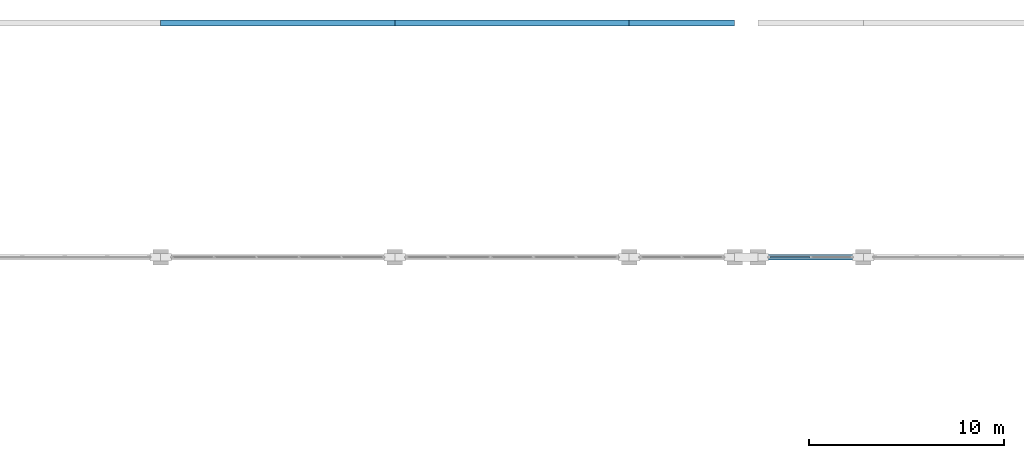
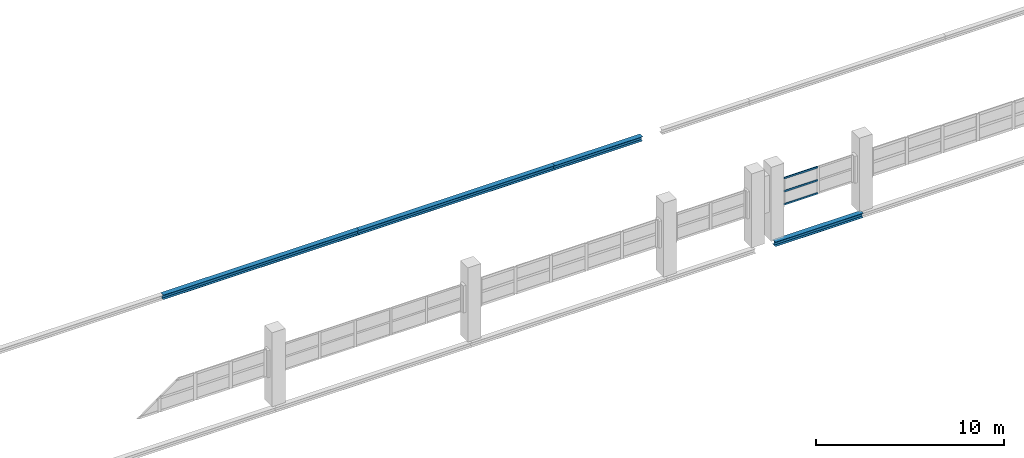
# One storey, part 56 of 86: 4 beams, 3 members, 1 element without a shape of its own.
"""IFC4 building model written with IfcOpenShell, lengths in metres."""

from ifc_helpers import new_model, si_unit, direction, frame, origin, origin_2d, place, context, subcontext, project, spatial, hollow_rectangle, i_section, extrude, material, layer, layer_set, material_profile, profile_set, type_object, element, aggregate, save


model = new_model("IFC4")

# Units and contexts
model_context = context("Model", 3, precision=1e-05, world=origin(), true_north=direction((0.0, 1.0)))
body_context = subcontext(model_context, "Body", "Model", "MODEL_VIEW")
ifc_project = project(units=[si_unit("LENGTHUNIT", "METRE"), si_unit("AREAUNIT", "SQUARE_METRE"), si_unit("VOLUMEUNIT", "CUBIC_METRE"), si_unit("PLANEANGLEUNIT", "RADIAN"), si_unit("MASSUNIT", "GRAM", prefix="KILO")], contexts=[model_context])

# Site, building, storey
site_placement = place(None, origin())
site = spatial("IfcSite", under=ifc_project, at=site_placement, CompositionType="ELEMENT")
building_placement = place(site_placement, origin())
building = spatial("IfcBuilding", under=site, at=building_placement, Name="Zilviju Railside Exhibition Hall", CompositionType="ELEMENT")
storey_placement = place(building_placement, frame((0.0, 0.0, 12.60009765625)))
storey = spatial("IfcBuildingStorey", under=building, at=storey_placement, Name="L04", CompositionType="ELEMENT", Elevation=12.60009765625)

# Beams
ifc_material_1 = material(Name="Steel S355J2", Category="steel")
ifc_material_profile_1 = material_profile(ifc_material_1, i_section(OverallWidth=0.300048828125, OverallDepth=0.2900390625, WebThickness=0.008544921875, FlangeThickness=0.013916015625, at=origin_2d()), Name="HEA 300")
ifc_profile_set_1 = profile_set([ifc_material_profile_1], Name="Steel S355J2")
beam_type = type_object("IfcBeamType", Name="BM-HEA300", PredefinedType="SPANDREL", material=ifc_profile_set_1)
beam_1_placement = place(storey_placement, frame((126.60009765625, 138.0, -0.485107421875), z_axis=(1.0, 0.0, 0.0), x_axis=(0.0, 1.0, 0.0)))
element("IfcBeam", 1, at=beam_1_placement, inside=storey, type_object=beam_type, Name="Primary Girder L04 Y=138.0 (126.6..132.0)", PredefinedType="SPANDREL", context=body_context, shape_type="SweptSolid", body=[
    extrude(i_section(OverallWidth=0.300048828125, OverallDepth=0.2900390625, WebThickness=0.008544921875, FlangeThickness=0.013916015625, at=origin_2d()), origin(), (0.0, 0.0, 1.0), 5.39990234375),
])
for number, where, z_axis, x_axis, name in (
    (2, (96.0, 150.0, -0.485107421875), (1.0, 0.0, 0.0), (0.0, 1.0, 0.0), "Primary Girder L04 Y=150.0 (96.0..108.0)"),
    (3, (108.0, 150.0, -0.485107421875), (1.0, 0.0, 0.0), (0.0, 1.0, 0.0), "Primary Girder L04 Y=150.0 (108.0..120.0)"),
):
    element("IfcBeam", number, at=place(storey_placement, frame(where, z_axis=z_axis, x_axis=x_axis)), inside=storey, type_object=beam_type, Name=name, PredefinedType="SPANDREL", context=body_context, shape_type="SweptSolid", body=[
        extrude(i_section(OverallWidth=0.300048828125, OverallDepth=0.2900390625, WebThickness=0.008544921875, FlangeThickness=0.013916015625, at=origin_2d()), origin(), (0.0, 0.0, 1.0), 12.0),
    ])
beam_2_placement = place(storey_placement, frame((120.0, 150.0, -0.485107421875), z_axis=(1.0, 0.0, 0.0), x_axis=(0.0, 1.0, 0.0)))
element("IfcBeam", 4, at=beam_2_placement, inside=storey, type_object=beam_type, Name="Primary Girder L04 Y=150.0 (120.0..125.4)", PredefinedType="SPANDREL", context=body_context, shape_type="SweptSolid", body=[
    extrude(i_section(OverallWidth=0.300048828125, OverallDepth=0.2900390625, WebThickness=0.008544921875, FlangeThickness=0.013916015625, at=origin_2d()), origin(), (0.0, 0.0, 1.0), 5.39990234375),
])

# Curtain wall, members
ifc_material_2 = material(Name="Thermally broken aluminium-steel triple-glazed curtain wall", Category="steel")
ifc_layer = layer(ifc_material_2, 0.179931640625)
ifc_layer_set = layer_set([ifc_layer], Name="Thermally broken aluminium-steel triple-glazed curtain wall")
curtain_wall_type = type_object("IfcCurtainWallType", Name="CW-BAY-05", PredefinedType="USERDEFINED", material=ifc_layer_set)
curtain_wall_placement = place(storey_placement, origin())
curtain_wall = element("IfcCurtainWall", 5, at=curtain_wall_placement, inside=storey, type_object=curtain_wall_type, Name="North Hall Clerestory Curtain Wall L04 (127..132)", ObjectType="GLAZED CURTAIN WALL", PredefinedType="USERDEFINED")
ifc_material_3 = material(Name="Thermally broken anodized aluminium transom", Category="aluminium")
ifc_material_profile_2 = material_profile(ifc_material_3, hollow_rectangle(XDim=0.06005859375, YDim=0.110107421875, WallThickness=0.0048828125, at=origin_2d()), Name="TRANSOM 110x60x5")
ifc_profile_set_2 = profile_set([ifc_material_profile_2], Name="Thermally broken anodized aluminium transom")
member_type = type_object("IfcMemberType", Name="CWT-60x110", PredefinedType="USERDEFINED", material=ifc_profile_set_2)
member_1_placement = place(storey_placement, frame((127.2099609375, 138.0, 1.829833984375), z_axis=(1.0, 0.0, 0.0), x_axis=(0.0, 1.0, 0.0)))
member_1 = element("IfcMember", 6, at=member_1_placement, type_object=member_type, Name="CW-05 transom 1.1", ObjectType="TRANSOM", PredefinedType="USERDEFINED", context=body_context, shape_type="SweptSolid", body=[
    extrude(hollow_rectangle(XDim=0.06005859375, YDim=0.110107421875, WallThickness=0.0048828125, at=origin_2d()), origin(), (0.0, 0.0, 1.0), 2.06005859375),
])
member_2_placement = place(storey_placement, frame((127.2099609375, 138.0, 2.6748046875), z_axis=(1.0, 0.0, 0.0), x_axis=(0.0, 1.0, 0.0)))
member_2 = element("IfcMember", 7, at=member_2_placement, type_object=member_type, Name="CW-05 transom 1.2", ObjectType="TRANSOM", PredefinedType="USERDEFINED", context=body_context, shape_type="SweptSolid", body=[
    extrude(hollow_rectangle(XDim=0.06005859375, YDim=0.110107421875, WallThickness=0.0048828125, at=origin_2d()), origin(), (0.0, 0.0, 1.0), 2.06005859375),
])
member_3_placement = place(storey_placement, frame((127.2099609375, 138.0, 3.52001953125), z_axis=(1.0, 0.0, 0.0), x_axis=(0.0, 1.0, 0.0)))
member_3 = element("IfcMember", 8, at=member_3_placement, type_object=member_type, Name="CW-05 transom 1.3", ObjectType="TRANSOM", PredefinedType="USERDEFINED", context=body_context, shape_type="SweptSolid", body=[
    extrude(hollow_rectangle(XDim=0.06005859375, YDim=0.110107421875, WallThickness=0.0048828125, at=origin_2d()), origin(), (0.0, 0.0, 1.0), 2.06005859375),
])
aggregate(curtain_wall, [member_1, member_2, member_3])

save(model, "model.ifc")
